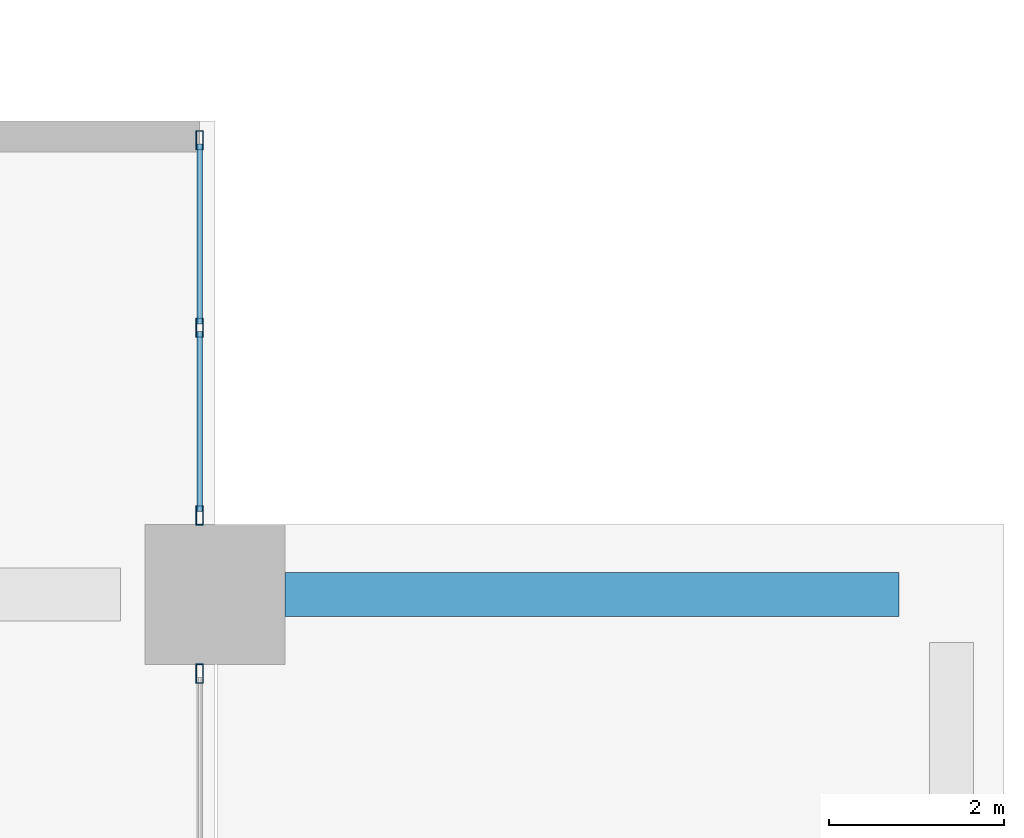
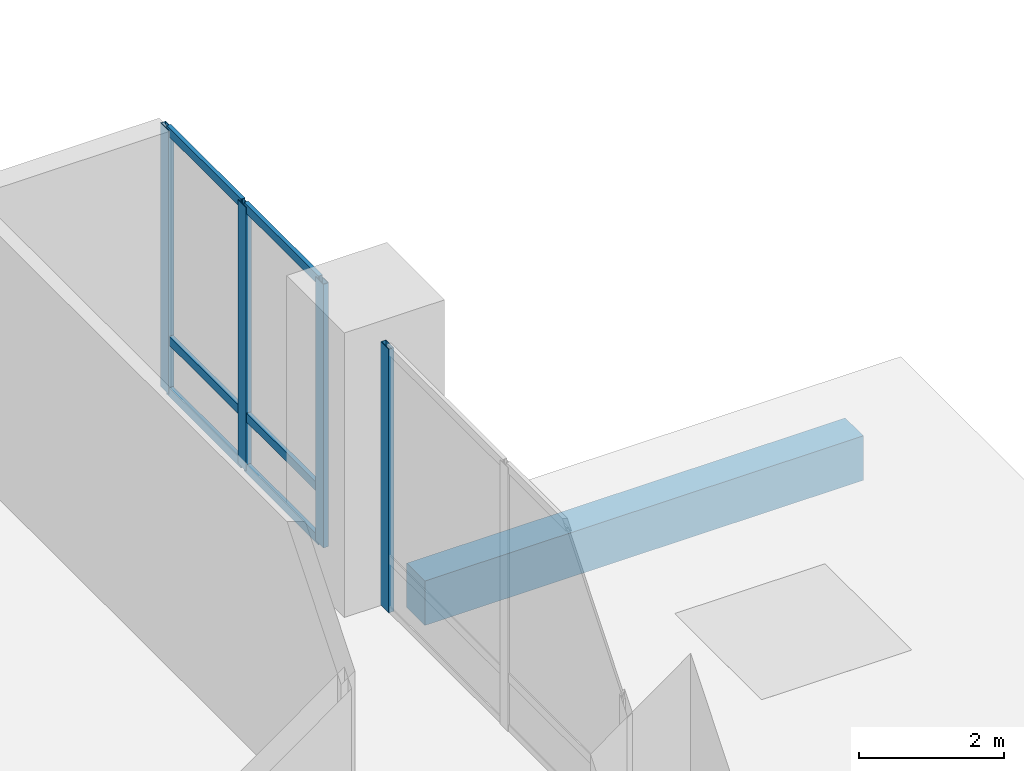
# One storey, part 7 of 22: 10 members, 1 beam, 2 elements without a shape of their own.
"""IFC4 building model written with IfcOpenShell, lengths in metres."""

from ifc_helpers import new_model, si_unit, direction, frame, origin, origin_2d, place, context, subcontext, project, spatial, rectangle, hollow_rectangle, extrude, material, layer, layer_set, material_profile, profile_set, type_object, element, aggregate, save


model = new_model("IFC4")

# Units and contexts
model_context = context("Model", 3, precision=1e-05, world=origin(), true_north=direction((0.0, 1.0)))
body_context = subcontext(model_context, "Body", "Model", "MODEL_VIEW")
ifc_project = project(units=[si_unit("LENGTHUNIT", "METRE"), si_unit("AREAUNIT", "SQUARE_METRE"), si_unit("VOLUMEUNIT", "CUBIC_METRE"), si_unit("PLANEANGLEUNIT", "RADIAN"), si_unit("MASSUNIT", "GRAM", prefix="KILO")], contexts=[model_context])

# Site, building, storey
site_placement = place(None, origin())
site = spatial("IfcSite", under=ifc_project, at=site_placement, CompositionType="ELEMENT")
building_placement = place(site_placement, origin())
building = spatial("IfcBuilding", under=site, at=building_placement, Name="Koriwani Terraces Tower", CompositionType="ELEMENT")
storey_placement = place(building_placement, frame((0.0, 0.0, 6.0)))
storey = spatial("IfcBuildingStorey", under=building, at=storey_placement, Name="L01", CompositionType="ELEMENT", Elevation=6.0)

# Beam
ifc_material_1 = material(Name="Concrete C50/60", Category="concrete")
ifc_material_profile_1 = material_profile(ifc_material_1, rectangle(XDim=0.5, YDim=0.75, at=origin_2d()), Name="Concrete C50/60", Category="LoadBearing")
ifc_profile_set_1 = profile_set([ifc_material_profile_1], Name="Concrete C50/60")
beam_type = type_object("IfcBeamType", Name="BEAM_RC_GRID_500X750", PredefinedType="BEAM", material=ifc_profile_set_1)
beam_placement = place(storey_placement, frame((93.199951171875, 33.60009765625, -0.655029296875), z_axis=(1.0, 0.0, 0.0), x_axis=(0.0, 1.0, 0.0)))
element("IfcBeam", 1, at=beam_placement, inside=storey, type_object=beam_type, Name="Porte-Cochere Tie Beam 3", PredefinedType="BEAM", context=body_context, shape_type="SweptSolid", body=[
    extrude(rectangle(XDim=0.5, YDim=0.75, at=origin_2d()), origin(), (0.0, 0.0, 1.0), 7.0),
])

# Curtain wall, members
ifc_material_2 = material(Name="Anodised Bronze Aluminium", Category="aluminium")
ifc_layer = layer(ifc_material_2, 0.199951171875, Name="Anodised Bronze Aluminium")
ifc_layer_set = layer_set([ifc_layer], Name="Anodised Bronze Aluminium")
curtain_wall_type = type_object("IfcCurtainWallType", Name="CW_PODIUM_GALLERIA", PredefinedType="NOTDEFINED", material=ifc_layer_set)
curtain_wall_1_placement = place(storey_placement, origin())
curtain_wall_1 = element("IfcCurtainWall", 2, at=curtain_wall_1_placement, inside=storey, type_object=curtain_wall_type, Name="L01 Unitised Curtain Wall (E_TIP) Bay 1", PredefinedType="NOTDEFINED")
ifc_material_profile_2 = material_profile(ifc_material_2, hollow_rectangle(XDim=0.0849609375, YDim=0.219970703125, WallThickness=0.008056640625, at=origin_2d()), Name="Anodised Bronze Aluminium", Category="LoadBearing")
ifc_profile_set_2 = profile_set([ifc_material_profile_2], Name="Anodised Bronze Aluminium")
member_type_1 = type_object("IfcMemberType", Name="CW_MULLION_220X85", PredefinedType="MULLION", material=ifc_profile_set_2)
member_1_placement = place(storey_placement, frame((92.22509765625, 38.782470703125, 0.0), z_axis=(0.0, 0.0, 1.0), x_axis=(1.0, 0.0, 0.0)))
member_1 = element("IfcMember", 3, at=member_1_placement, type_object=member_type_1, Name="CW-POD mullion 1", PredefinedType="MULLION", context=body_context, shape_type="SweptSolid", body=[
    extrude(hollow_rectangle(XDim=0.0849609375, YDim=0.219970703125, WallThickness=0.008056640625, at=origin_2d()), origin(), (0.0, 0.0, 1.0), 4.449951171875),
])
member_2_placement = place(storey_placement, frame((92.22509765625, 36.642578125, 0.0), z_axis=(0.0, 0.0, 1.0), x_axis=(1.0, 0.0, 0.0)))
member_2 = element("IfcMember", 4, at=member_2_placement, type_object=member_type_1, Name="CW-POD mullion 2", PredefinedType="MULLION", context=body_context, shape_type="SweptSolid", body=[
    extrude(hollow_rectangle(XDim=0.0849609375, YDim=0.219970703125, WallThickness=0.008056640625, at=origin_2d()), origin(), (0.0, 0.0, 1.0), 4.449951171875),
])
member_3_placement = place(storey_placement, frame((92.22509765625, 34.50244140625, 0.0), z_axis=(0.0, 0.0, 1.0), x_axis=(1.0, 0.0, 0.0)))
member_3 = element("IfcMember", 5, at=member_3_placement, type_object=member_type_1, Name="CW-POD mullion 3", PredefinedType="MULLION", context=body_context, shape_type="SweptSolid", body=[
    extrude(hollow_rectangle(XDim=0.0849609375, YDim=0.219970703125, WallThickness=0.008056640625, at=origin_2d()), origin(), (0.0, 0.0, 1.0), 4.449951171875),
])

# Curtain wall, member
curtain_wall_2_placement = place(storey_placement, origin())
curtain_wall_2 = element("IfcCurtainWall", 6, at=curtain_wall_2_placement, inside=storey, type_object=curtain_wall_type, Name="L01 Unitised Curtain Wall (E_TIP) Bay 2", PredefinedType="NOTDEFINED")
member_4_placement = place(storey_placement, frame((92.22509765625, 32.697509765625, 0.0), z_axis=(0.0, 0.0, 1.0), x_axis=(1.0, 0.0, 0.0)))
member_4 = element("IfcMember", 7, at=member_4_placement, type_object=member_type_1, Name="CW-POD mullion 1", PredefinedType="MULLION", context=body_context, shape_type="SweptSolid", body=[
    extrude(hollow_rectangle(XDim=0.0849609375, YDim=0.219970703125, WallThickness=0.008056640625, at=origin_2d()), origin(), (0.0, 0.0, 1.0), 4.449951171875),
])
aggregate(curtain_wall_2, [member_4])

# Member
ifc_material_profile_3 = material_profile(ifc_material_2, hollow_rectangle(XDim=0.06494140625, YDim=0.14990234375, WallThickness=0.0048828125, at=origin_2d()), Name="Anodised Bronze Aluminium", Category="LoadBearing")
ifc_profile_set_3 = profile_set([ifc_material_profile_3], Name="Anodised Bronze Aluminium")
member_type_2 = type_object("IfcMemberType", Name="CW_TRANSOM_150X65", PredefinedType="USERDEFINED", material=ifc_profile_set_3)
member_5_placement = place(storey_placement, frame((92.22509765625, 38.739990234375, 0.032470703125), z_axis=(0.0, -1.0, 0.0), x_axis=(1.0, 0.0, 0.0)))
member_5 = element("IfcMember", 8, at=member_5_placement, type_object=member_type_2, Name="CW-POD transom 1.1", ObjectType="TRANSOM", PredefinedType="USERDEFINED", context=body_context, shape_type="SweptSolid", body=[
    extrude(hollow_rectangle(XDim=0.06494140625, YDim=0.14990234375, WallThickness=0.0048828125, at=origin_2d()), origin(), (0.0, 0.0, 1.0), 2.054931640625),
])

member_6_placement = place(storey_placement, frame((92.22509765625, 38.739990234375, 0.89990234375), z_axis=(0.0, -1.0, 0.0), x_axis=(1.0, 0.0, 0.0)))
member_6 = element("IfcMember", 9, at=member_6_placement, type_object=member_type_2, Name="CW-POD transom 1.2", ObjectType="TRANSOM", PredefinedType="USERDEFINED", context=body_context, shape_type="SweptSolid", body=[
    extrude(hollow_rectangle(XDim=0.06494140625, YDim=0.14990234375, WallThickness=0.0048828125, at=origin_2d()), origin(), (0.0, 0.0, 1.0), 2.054931640625),
])

member_7_placement = place(storey_placement, frame((92.22509765625, 38.739990234375, 4.41748046875), z_axis=(0.0, -1.0, 0.0), x_axis=(1.0, 0.0, 0.0)))
member_7 = element("IfcMember", 10, at=member_7_placement, type_object=member_type_2, Name="CW-POD transom 1.3", ObjectType="TRANSOM", PredefinedType="USERDEFINED", context=body_context, shape_type="SweptSolid", body=[
    extrude(hollow_rectangle(XDim=0.06494140625, YDim=0.14990234375, WallThickness=0.0048828125, at=origin_2d()), origin(), (0.0, 0.0, 1.0), 2.054931640625),
])

member_8_placement = place(storey_placement, frame((92.22509765625, 36.60009765625, 0.032470703125), z_axis=(0.0, -1.0, 0.0), x_axis=(1.0, 0.0, 0.0)))
member_8 = element("IfcMember", 11, at=member_8_placement, type_object=member_type_2, Name="CW-POD transom 2.1", ObjectType="TRANSOM", PredefinedType="USERDEFINED", context=body_context, shape_type="SweptSolid", body=[
    extrude(hollow_rectangle(XDim=0.06494140625, YDim=0.14990234375, WallThickness=0.0048828125, at=origin_2d()), origin(), (0.0, 0.0, 1.0), 2.05517578125),
])

member_9_placement = place(storey_placement, frame((92.22509765625, 36.60009765625, 0.89990234375), z_axis=(0.0, -1.0, 0.0), x_axis=(1.0, 0.0, 0.0)))
member_9 = element("IfcMember", 12, at=member_9_placement, type_object=member_type_2, Name="CW-POD transom 2.2", ObjectType="TRANSOM", PredefinedType="USERDEFINED", context=body_context, shape_type="SweptSolid", body=[
    extrude(hollow_rectangle(XDim=0.06494140625, YDim=0.14990234375, WallThickness=0.0048828125, at=origin_2d()), origin(), (0.0, 0.0, 1.0), 2.05517578125),
])

member_10_placement = place(storey_placement, frame((92.22509765625, 36.60009765625, 4.41748046875), z_axis=(0.0, -1.0, 0.0), x_axis=(1.0, 0.0, 0.0)))
member_10 = element("IfcMember", 13, at=member_10_placement, type_object=member_type_2, Name="CW-POD transom 2.3", ObjectType="TRANSOM", PredefinedType="USERDEFINED", context=body_context, shape_type="SweptSolid", body=[
    extrude(hollow_rectangle(XDim=0.06494140625, YDim=0.14990234375, WallThickness=0.0048828125, at=origin_2d()), origin(), (0.0, 0.0, 1.0), 2.05517578125),
])

aggregate(curtain_wall_1, [member_1, member_2, member_3, member_5, member_6, member_7, member_8, member_9, member_10])

save(model, "model.ifc")
